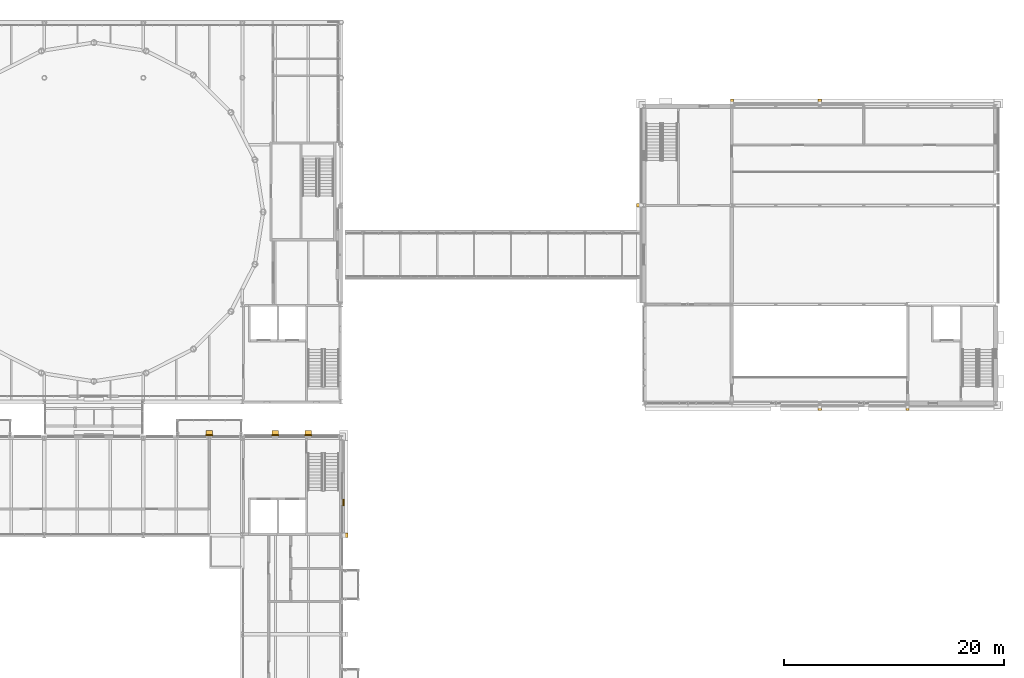
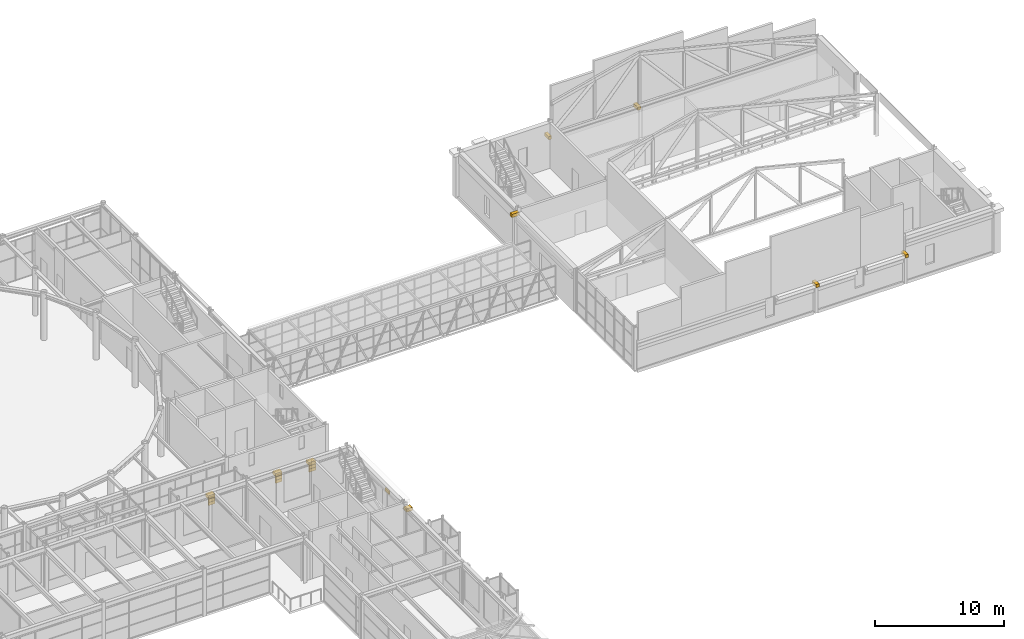
# One storey, part 149 of 149: 16 coverings.
"""IFC4 building model written with IfcOpenShell, lengths in metres."""

from ifc_helpers import new_model, si_unit, direction, frame, origin, origin_2d, place, context, subcontext, project, spatial, rectangle, extrude, material, layer, layer_set, type_object, element, save


model = new_model("IFC4")

# Units and contexts
model_context = context("Model", 3, precision=1e-05, world=origin(), true_north=direction((0.0, 1.0)))
body_context = subcontext(model_context, "Body", "Model", "MODEL_VIEW")
ifc_project = project(units=[si_unit("LENGTHUNIT", "METRE"), si_unit("AREAUNIT", "SQUARE_METRE"), si_unit("VOLUMEUNIT", "CUBIC_METRE"), si_unit("PLANEANGLEUNIT", "RADIAN"), si_unit("MASSUNIT", "GRAM", prefix="KILO")], contexts=[model_context])

# Site, building, storey
site_placement = place(None, origin())
site = spatial("IfcSite", under=ifc_project, at=site_placement, CompositionType="ELEMENT")
building_placement = place(site_placement, origin())
building = spatial("IfcBuilding", under=site, at=building_placement, Name="Kallimachos Central Library", CompositionType="ELEMENT")
storey_placement = place(building_placement, frame((0.0, 0.0, 9.89990234375)))
storey = spatial("IfcBuildingStorey", under=building, at=storey_placement, Name="L02", CompositionType="ELEMENT", Elevation=9.89990234375)

# Coverings
ifc_material_1 = material(Name="Glazed ceramic frieze, green")
ifc_layer_1 = layer(ifc_material_1, 0.10009765625)
ifc_layer_set_1 = layer_set([ifc_layer_1], Name="Glazed ceramic frieze, green")
covering_type_1 = type_object("IfcCoveringType", Name="Glazed ceramic frieze, green", PredefinedType="CLADDING", material=ifc_layer_set_1)
for number, where, z_axis, x_axis, name in (
    (1, (98.5, 84.115966796875, 3.1298828125), (0.0, 0.0, 1.0), (1.0, 0.0, 0.0), "Glazed ceramic frieze, green -L02-018"),
    (2, (104.5, 84.115966796875, 3.1298828125), (0.0, 0.0, 1.0), (1.0, 0.0, 0.0), "Glazed ceramic frieze, green -L02-019"),
    (3, (107.5, 84.115966796875, 3.1298828125), (0.0, 0.0, 1.0), (1.0, 0.0, 0.0), "Glazed ceramic frieze, green -L02-019"),
):
    element("IfcCovering", number, at=place(storey_placement, frame(where, z_axis=z_axis, x_axis=x_axis)), inside=storey, type_object=covering_type_1, Name=name, PredefinedType="CLADDING", context=body_context, shape_type="SweptSolid", body=[
        extrude(rectangle(XDim=0.60009765625, YDim=0.10009765625, at=origin_2d()), origin(), (0.0, 0.0, 1.0), 0.300048828125),
    ])
ifc_material_2 = material(Name="Glazed ceramic frieze, ochre")
ifc_layer_2 = layer(ifc_material_2, 0.10009765625)
ifc_layer_set_2 = layer_set([ifc_layer_2], Name="Glazed ceramic frieze, ochre")
covering_type_2 = type_object("IfcCoveringType", Name="Glazed ceramic frieze, ochre", PredefinedType="CLADDING", material=ifc_layer_set_2)
for number, where, z_axis, x_axis, name in (
    (4, (98.5, 84.115966796875, 2.830078125), (0.0, 0.0, 1.0), (1.0, 0.0, 0.0), "Glazed ceramic frieze, ochre -L02-018"),
    (5, (104.5, 84.115966796875, 2.830078125), (0.0, 0.0, 1.0), (1.0, 0.0, 0.0), "Glazed ceramic frieze, ochre -L02-019"),
    (6, (107.5, 84.115966796875, 2.830078125), (0.0, 0.0, 1.0), (1.0, 0.0, 0.0), "Glazed ceramic frieze, ochre -L02-019"),
):
    element("IfcCovering", number, at=place(storey_placement, frame(where, z_axis=z_axis, x_axis=x_axis)), inside=storey, type_object=covering_type_2, Name=name, PredefinedType="CLADDING", context=body_context, shape_type="SweptSolid", body=[
        extrude(rectangle(XDim=0.60009765625, YDim=0.10009765625, at=origin_2d()), origin(), (0.0, 0.0, 1.0), 0.300048828125),
    ])
covering_1_placement = place(storey_placement, frame((110.70361328125, 78.0, 3.3798828125), z_axis=(0.0, 0.0, 1.0), x_axis=(1.0, 0.0, 0.0)))
element("IfcCovering", 7, at=covering_1_placement, inside=storey, type_object=covering_type_2, Name="Glazed ceramic frieze, ochre -L02-025", PredefinedType="CLADDING", context=body_context, shape_type="SweptSolid", body=[
    extrude(rectangle(XDim=0.10009765625, YDim=0.60009765625, at=origin_2d()), origin(), (0.0, 0.0, 1.0), 0.300048828125),
])
ifc_material_3 = material(Name="Pentelic marble cornice", Category="masonry")
ifc_layer_3 = layer(ifc_material_3, 0.449951171875)
ifc_layer_set_3 = layer_set([ifc_layer_3], Name="Stone cornice 450")
covering_type_3 = type_object("IfcCoveringType", Name="Stone cornice 450", PredefinedType="MOLDING", material=ifc_layer_set_3)
for number, where, z_axis, x_axis, name in (
    (8, (98.5, 84.291015625, 3.4501953125), (0.0, 0.0, 1.0), (1.0, 0.0, 0.0), "Stone cornice 450 -L02-018"),
    (9, (104.5, 84.291015625, 3.4501953125), (0.0, 0.0, 1.0), (1.0, 0.0, 0.0), "Stone cornice 450 -L02-019"),
    (10, (107.5, 84.291015625, 3.4501953125), (0.0, 0.0, 1.0), (1.0, 0.0, 0.0), "Stone cornice 450 -L02-019"),
):
    element("IfcCovering", number, at=place(storey_placement, frame(where, z_axis=z_axis, x_axis=x_axis)), inside=storey, type_object=covering_type_3, Name=name, PredefinedType="MOLDING", context=body_context, shape_type="SweptSolid", body=[
        extrude(rectangle(XDim=0.60009765625, YDim=0.449951171875, at=origin_2d()), origin(), (0.0, 0.0, 1.0), 0.300048828125),
    ])
covering_2_placement = place(storey_placement, frame((110.824951171875, 75.0, 3.5), z_axis=(0.0, 0.0, 1.0), x_axis=(1.0, 0.0, 0.0)))
element("IfcCovering", 11, at=covering_2_placement, inside=storey, type_object=covering_type_3, Name="Stone cornice 450 -L02-024", PredefinedType="MOLDING", context=body_context, shape_type="SweptSolid", body=[
    extrude(rectangle(XDim=0.550048828125, YDim=0.431884765625, at=origin_2d()), origin(), (0.0, 0.0, 1.0), 0.300048828125),
])
covering_3_placement = place(storey_placement, frame((137.675048828125, 105.0, 3.75), z_axis=(0.0, 0.0, 1.0), x_axis=(1.0, 0.0, 0.0)))
element("IfcCovering", 12, at=covering_3_placement, inside=storey, type_object=covering_type_3, Name="Stone cornice 450 -L02-001", PredefinedType="MOLDING", context=body_context, shape_type="SweptSolid", body=[
    extrude(rectangle(XDim=0.64990234375, YDim=0.300048828125, at=origin_2d()), origin(), (0.0, 0.0, 1.0), 0.300048828125),
])
covering_4_placement = place(storey_placement, frame((154.0, 86.675048828125, 2.55029296875), z_axis=(0.0, 0.0, 1.0), x_axis=(1.0, 0.0, 0.0)))
element("IfcCovering", 13, at=covering_4_placement, inside=storey, type_object=covering_type_3, Name="Stone cornice 450 -L02-005", PredefinedType="MOLDING", context=body_context, shape_type="SweptSolid", body=[
    extrude(rectangle(XDim=0.300048828125, YDim=0.64990234375, at=origin_2d()), origin(), (0.0, 0.0, 1.0), 0.300048828125),
])
for number, where, z_axis, x_axis, name in (
    (14, (161.97509765625, 86.675048828125, 2.55029296875), (0.0, 0.0, 1.0), (1.0, 0.0, 0.0), "Stone cornice 450 -L02-006"),
    (15, (146.02490234375, 114.324951171875, 2.55029296875), (0.0, 0.0, 1.0), (1.0, 0.0, 0.0), "Stone cornice 450 -L02-008"),
):
    element("IfcCovering", number, at=place(storey_placement, frame(where, z_axis=z_axis, x_axis=x_axis)), inside=storey, type_object=covering_type_3, Name=name, PredefinedType="MOLDING", context=body_context, shape_type="SweptSolid", body=[
        extrude(rectangle(XDim=0.25, YDim=0.64990234375, at=origin_2d()), origin(), (0.0, 0.0, 1.0), 0.300048828125),
    ])
covering_5_placement = place(storey_placement, frame((154.0, 114.324951171875, 2.55029296875), z_axis=(0.0, 0.0, 1.0), x_axis=(1.0, 0.0, 0.0)))
element("IfcCovering", 16, at=covering_5_placement, inside=storey, type_object=covering_type_3, Name="Stone cornice 450 -L02-009", PredefinedType="MOLDING", context=body_context, shape_type="SweptSolid", body=[
    extrude(rectangle(XDim=0.300048828125, YDim=0.64990234375, at=origin_2d()), origin(), (0.0, 0.0, 1.0), 0.300048828125),
])

save(model, "model.ifc")
